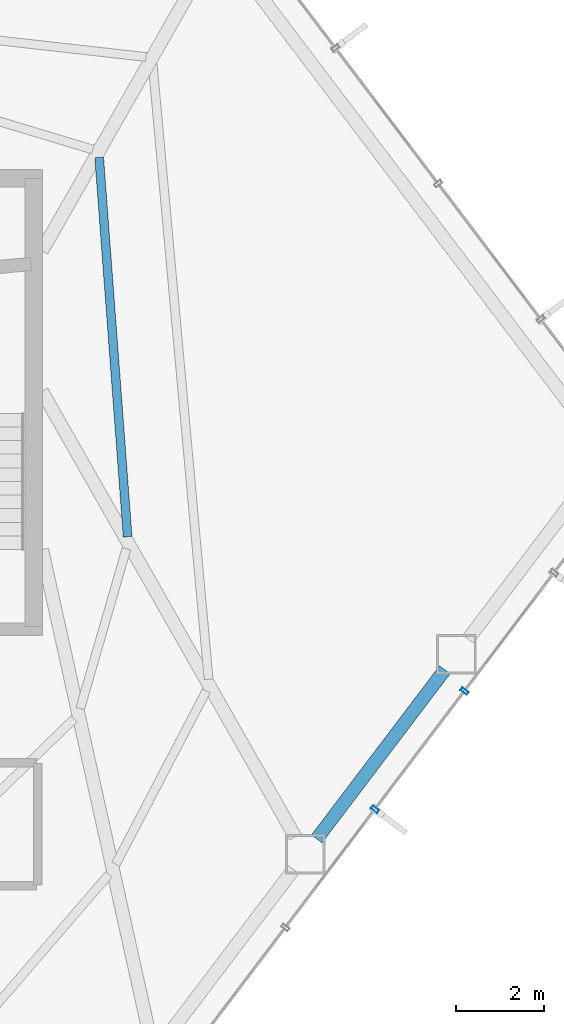
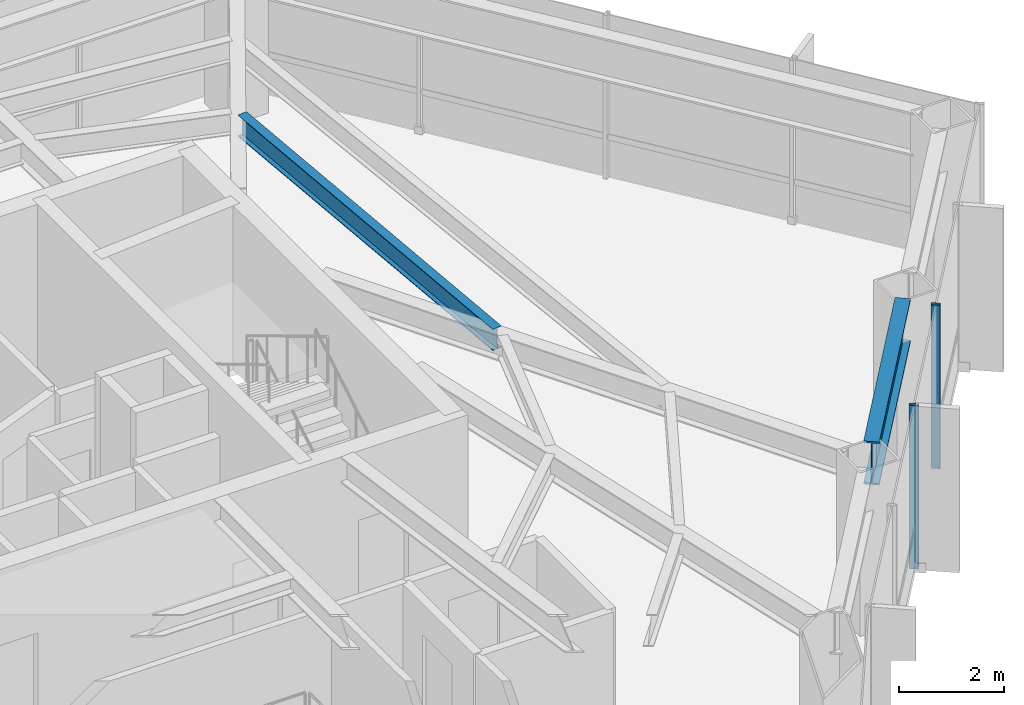
# One storey, part 16 of 24: 2 beams, 2 members, 1 element without a shape of its own.
"""IFC4 building model written with IfcOpenShell, lengths in metres."""

from ifc_helpers import new_model, si_unit, direction, frame, origin, origin_2d, place, context, subcontext, project, spatial, hollow_rectangle, i_section, extrude, material, layer, layer_set, material_profile, profile_set, type_object, element, aggregate, save


model = new_model("IFC4")

# Units and contexts
model_context = context("Model", 3, precision=1e-05, world=origin(), true_north=direction((0.0, 1.0)))
body_context = subcontext(model_context, "Body", "Model", "MODEL_VIEW")
ifc_project = project(units=[si_unit("LENGTHUNIT", "METRE"), si_unit("AREAUNIT", "SQUARE_METRE"), si_unit("VOLUMEUNIT", "CUBIC_METRE"), si_unit("PLANEANGLEUNIT", "RADIAN"), si_unit("MASSUNIT", "GRAM", prefix="KILO")], contexts=[model_context])

# Site, building, storey
site_placement = place(None, origin())
site = spatial("IfcSite", under=ifc_project, at=site_placement, CompositionType="ELEMENT")
building_placement = place(site_placement, origin())
building = spatial("IfcBuilding", under=site, at=building_placement, Name="Zarrinselat Tower", CompositionType="ELEMENT")
storey_placement = place(building_placement, frame((0.0, 0.0, 100.97998046875)))
storey = spatial("IfcBuildingStorey", under=building, at=storey_placement, Name="L24", CompositionType="ELEMENT", Elevation=100.97998046875)

# Beams
ifc_material_1 = material(Name="Steel S460M", Category="steel")
ifc_material_profile_1 = material_profile(ifc_material_1, i_section(OverallWidth=0.302001953125, OverallDepth=1.008056640625, WebThickness=0.02099609375, FlangeThickness=0.0400390625, at=origin_2d()), Name="HEM 1000")
ifc_profile_set_1 = profile_set([ifc_material_profile_1], Name="Steel S460M")
beam_type_1 = type_object("IfcBeamType", Name="BM-HEM1000", PredefinedType="BEAM", material=ifc_profile_set_1)
beam_1_placement = place(storey_placement, frame((54.70361328125, 28.4169921875, 3.31591796875), z_axis=(0.60382847745, 0.797114276513, 0.0), x_axis=(-0.797114276513, 0.60382847745, 0.0)))
element("IfcBeam", 1, at=beam_1_placement, inside=storey, type_object=beam_type_1, Name="L24 Perimeter Spandrel Girder SP13", PredefinedType="BEAM", context=body_context, shape_type="SweptSolid", body=[
    extrude(i_section(OverallWidth=0.302001953125, OverallDepth=1.008056640625, WebThickness=0.02099609375, FlangeThickness=0.0400390625, at=origin_2d()), origin(), (0.0, 0.0, 1.0), 4.82763671875),
])
ifc_material_2 = material(Name="Steel S355J2", Category="steel")
ifc_material_profile_2 = material_profile(ifc_material_2, i_section(OverallWidth=0.199951171875, OverallDepth=0.5, WebThickness=0.01025390625, FlangeThickness=0.01611328125, at=origin_2d()), Name="IPE 500")
ifc_profile_set_2 = profile_set([ifc_material_profile_2], Name="Steel S355J2")
beam_type_2 = type_object("IfcBeamType", Name="BM-IPE500", PredefinedType="JOIST", material=ifc_profile_set_2)
beam_2_placement = place(storey_placement, frame((49.751708984375, 43.923828125, 3.570068359375), z_axis=(0.074884607741, -0.997192205908, 0.0), x_axis=(0.997192205908, 0.074884607741, 0.0)))
element("IfcBeam", 2, at=beam_2_placement, inside=storey, type_object=beam_type_2, Name="L24 Composite Floor Joist 5-2", PredefinedType="JOIST", context=body_context, shape_type="SweptSolid", body=[
    extrude(i_section(OverallWidth=0.199951171875, OverallDepth=0.5, WebThickness=0.01025390625, FlangeThickness=0.01611328125, at=origin_2d()), origin(), (0.0, 0.0, 1.0), 8.656005859375),
])

# Curtain wall, members
ifc_material_3 = material(Name="Extruded Aluminium Alloy EN AW-6063 T6", Category="aluminium")
ifc_layer = layer(ifc_material_3, 0.18505859375)
ifc_layer_set = layer_set([ifc_layer], Name="Extruded Aluminium Alloy EN AW-6063 T6")
curtain_wall_type = type_object("IfcCurtainWallType", Name="CWS-OFF", PredefinedType="NOTDEFINED", material=ifc_layer_set)
curtain_wall_placement = place(storey_placement, origin())
curtain_wall = element("IfcCurtainWall", 3, at=curtain_wall_placement, inside=storey, type_object=curtain_wall_type, Name="L24 Unitised Curtain Wall CW-L24-E05", PredefinedType="NOTDEFINED")
ifc_material_4 = material(Name="Extruded Aluminium Alloy EN AW-6063 T6", Category="aluminium")
ifc_material_profile_3 = material_profile(ifc_material_4, hollow_rectangle(XDim=0.080078125, YDim=0.179931640625, WallThickness=0.0048828125, at=origin_2d()), Name="RHS 180x80x5")
ifc_profile_set_3 = profile_set([ifc_material_profile_3], Name="Extruded Aluminium Alloy EN AW-6063 T6")
member_type = type_object("IfcMemberType", Name="MEM-CW-MUL", PredefinedType="MULLION", material=ifc_profile_set_3)
member_1_placement = place(storey_placement, frame((56.027587890625, 29.08837890625, 0.0), z_axis=(0.0, 0.0, 1.0), x_axis=(0.603858013909, 0.79709190125, 0.0)))
member_1 = element("IfcMember", 4, at=member_1_placement, type_object=member_type, Name="CW-L24-E05 Mullion 5", PredefinedType="MULLION", context=body_context, shape_type="SweptSolid", body=[
    extrude(hollow_rectangle(XDim=0.080078125, YDim=0.179931640625, WallThickness=0.0048828125, at=origin_2d()), origin(), (0.0, 0.0, 1.0), 3.820068359375),
])
member_2_placement = place(storey_placement, frame((58.06591796875, 31.779052734375, 0.0), z_axis=(0.0, 0.0, 1.0), x_axis=(0.603858013909, 0.79709190125, 0.0)))
member_2 = element("IfcMember", 5, at=member_2_placement, type_object=member_type, Name="CW-L24-E05 Mullion 6", PredefinedType="MULLION", context=body_context, shape_type="SweptSolid", body=[
    extrude(hollow_rectangle(XDim=0.080078125, YDim=0.179931640625, WallThickness=0.0048828125, at=origin_2d()), origin(), (0.0, 0.0, 1.0), 3.820068359375),
])
aggregate(curtain_wall, [member_1, member_2])

save(model, "model.ifc")
